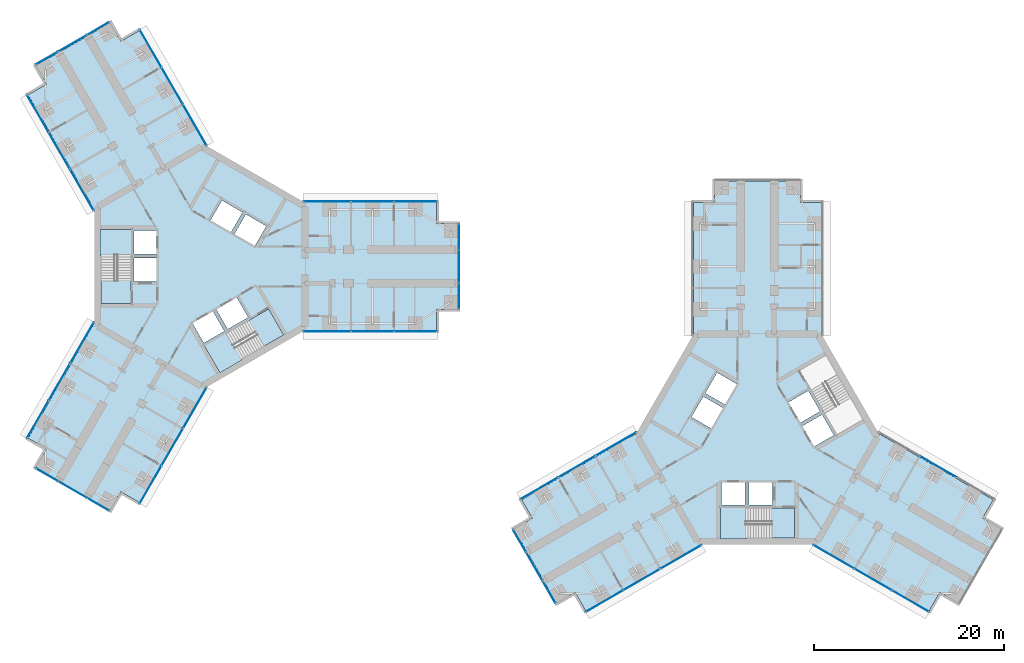
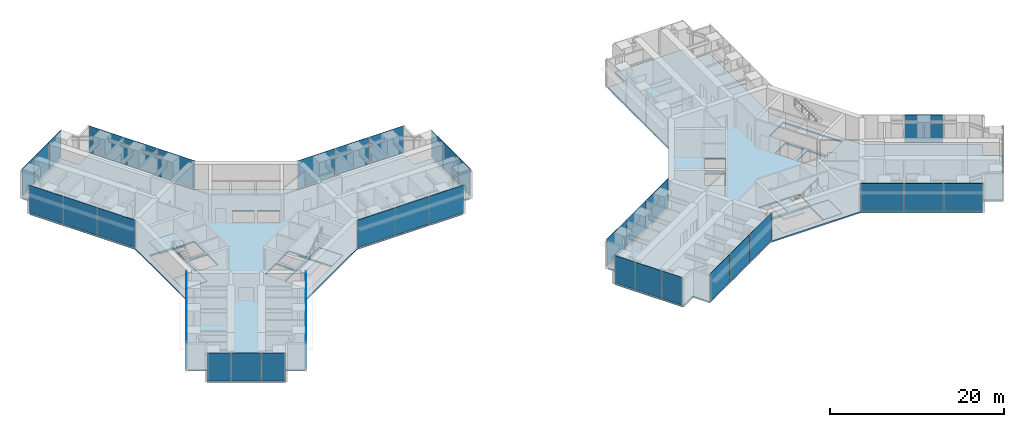
# One storey, part 14 of 22: 40 plates, 8 slabs, 17 elements without a shape of their own.
"""IFC4 building model written with IfcOpenShell, lengths in metres."""

from ifc_helpers import new_model, si_unit, direction, frame, origin, origin_2d, place, context, subcontext, project, spatial, polyline, rectangle, outline, extrude, material, layer, layer_set, type_object, element, aggregate, save


model = new_model("IFC4")

# Units and contexts
model_context = context("Model", 3, precision=1e-05, world=origin(), true_north=direction((0.0, 1.0)))
body_context = subcontext(model_context, "Body", "Model", "MODEL_VIEW")
ifc_project = project(units=[si_unit("LENGTHUNIT", "METRE"), si_unit("AREAUNIT", "SQUARE_METRE"), si_unit("VOLUMEUNIT", "CUBIC_METRE"), si_unit("PLANEANGLEUNIT", "RADIAN"), si_unit("MASSUNIT", "GRAM", prefix="KILO")], contexts=[model_context])

# Site, building, storey
site_placement = place(None, origin())
site = spatial("IfcSite", under=ifc_project, at=site_placement, CompositionType="ELEMENT")
building_placement = place(site_placement, origin())
building = spatial("IfcBuilding", under=site, at=building_placement, Name="Upepo Twin Towers", CompositionType="ELEMENT")
storey_placement = place(building_placement, frame((0.0, 0.0, 40.5)))
storey = spatial("IfcBuildingStorey", under=building, at=storey_placement, Name="L09", CompositionType="ELEMENT", Elevation=40.5)

# Curtain wall, plates
ifc_material_1 = material(Name="Aluminium and fritted glass", Category="aluminium")
curtain_wall_type = type_object("IfcCurtainWallType", Name="Tower curtain wall TW1, fritted glass", PredefinedType="NOTDEFINED", material=ifc_material_1)
curtain_wall_1_placement = place(storey_placement, origin())
curtain_wall_1 = element("IfcCurtainWall", 1, at=curtain_wall_1_placement, inside=storey, type_object=curtain_wall_type, Name="T1 L09 wing A flank L curtain wall", PredefinedType="NOTDEFINED")
ifc_material_2 = material(Name="Ceramic-fritted laminated glass", Category="glass")
ifc_layer_1 = layer(ifc_material_2, 0.031982421875)
ifc_layer_set_1 = layer_set([ifc_layer_1], Name="Fritted glass panel, 20 per cent dot frit, 32 mm double glazed")
plate_type_1 = type_object("IfcPlateType", Name="Fritted glass panel, 20 per cent dot frit, 32 mm double glazed", PredefinedType="CURTAIN_PANEL", material=ifc_layer_set_1)
plate_1_placement = place(storey_placement, frame((13.23486328125, 6.85009765625, 0.14990234375), z_axis=(0.0, 0.0, 1.0), x_axis=(1.0, 0.0, 0.0)))
plate_1 = element("IfcPlate", 2, at=plate_1_placement, type_object=plate_type_1, Name="T1 L09 wing A flank L curtain wall panel 1", PredefinedType="CURTAIN_PANEL", context=body_context, shape_type="SweptSolid", body=[
    extrude(rectangle(XDim=4.96533203125, YDim=0.031982421875, at=origin_2d()), origin(), (0.0, 0.0, 1.0), 3.85009765625),
])
plate_2_placement = place(storey_placement, frame((18.0, 6.85009765625, 0.14990234375), z_axis=(0.0, 0.0, 1.0), x_axis=(1.0, 0.0, 0.0)))
plate_2 = element("IfcPlate", 3, at=plate_2_placement, type_object=plate_type_1, Name="T1 L09 wing A flank L curtain wall panel 2", PredefinedType="CURTAIN_PANEL", context=body_context, shape_type="SweptSolid", body=[
    extrude(rectangle(XDim=4.43505859375, YDim=0.031982421875, at=origin_2d()), origin(), (0.0, 0.0, 1.0), 3.85009765625),
])
plate_3_placement = place(storey_placement, frame((22.53369140625, 6.85009765625, 0.14990234375), z_axis=(0.0, 0.0, 1.0), x_axis=(1.0, 0.0, 0.0)))
plate_3 = element("IfcPlate", 4, at=plate_3_placement, type_object=plate_type_1, Name="T1 L09 wing A flank L curtain wall panel 3", PredefinedType="CURTAIN_PANEL", context=body_context, shape_type="SweptSolid", body=[
    extrude(rectangle(XDim=4.50244140625, YDim=0.031982421875, at=origin_2d()), origin(), (0.0, 0.0, 1.0), 3.85009765625),
])
aggregate(curtain_wall_1, [plate_1, plate_2, plate_3])

curtain_wall_2_placement = place(storey_placement, origin())
curtain_wall_2 = element("IfcCurtainWall", 5, at=curtain_wall_2_placement, inside=storey, type_object=curtain_wall_type, Name="T1 L09 wing A flank R curtain wall", PredefinedType="NOTDEFINED")
plate_4_placement = place(storey_placement, frame((22.53369140625, -6.85009765625, 0.14990234375), z_axis=(0.0, 0.0, 1.0), x_axis=(-1.0, 0.0, 0.0)))
plate_4 = element("IfcPlate", 6, at=plate_4_placement, type_object=plate_type_1, Name="T1 L09 wing A flank R curtain wall panel 1", PredefinedType="CURTAIN_PANEL", context=body_context, shape_type="SweptSolid", body=[
    extrude(rectangle(XDim=4.50244140625, YDim=0.031982421875, at=origin_2d()), origin(), (0.0, 0.0, 1.0), 3.85009765625),
])
plate_5_placement = place(storey_placement, frame((18.0, -6.85009765625, 0.14990234375), z_axis=(0.0, 0.0, 1.0), x_axis=(-1.0, 0.0, 0.0)))
plate_5 = element("IfcPlate", 7, at=plate_5_placement, type_object=plate_type_1, Name="T1 L09 wing A flank R curtain wall panel 2", PredefinedType="CURTAIN_PANEL", context=body_context, shape_type="SweptSolid", body=[
    extrude(rectangle(XDim=4.43505859375, YDim=0.031982421875, at=origin_2d()), origin(), (0.0, 0.0, 1.0), 3.85009765625),
])
plate_6_placement = place(storey_placement, frame((13.23486328125, -6.85009765625, 0.14990234375), z_axis=(0.0, 0.0, 1.0), x_axis=(-1.0, 0.0, 0.0)))
plate_6 = element("IfcPlate", 8, at=plate_6_placement, type_object=plate_type_1, Name="T1 L09 wing A flank R curtain wall panel 3", PredefinedType="CURTAIN_PANEL", context=body_context, shape_type="SweptSolid", body=[
    extrude(rectangle(XDim=4.96533203125, YDim=0.031982421875, at=origin_2d()), origin(), (0.0, 0.0, 1.0), 3.85009765625),
])
aggregate(curtain_wall_2, [plate_4, plate_5, plate_6])

# Curtain wall, plate
curtain_wall_3_placement = place(storey_placement, origin())
curtain_wall_3 = element("IfcCurtainWall", 9, at=curtain_wall_3_placement, inside=storey, type_object=curtain_wall_type, Name="T1 L09 wing A nose curtain wall", PredefinedType="NOTDEFINED")
plate_7_placement = place(storey_placement, frame((27.10009765625, 0.0, 0.14990234375), z_axis=(0.0, 0.0, 1.0), x_axis=(0.0, 1.0, 0.0)))
plate_7 = element("IfcPlate", 10, at=plate_7_placement, type_object=plate_type_1, Name="T1 L09 wing A nose curtain wall panel 2", PredefinedType="CURTAIN_PANEL", context=body_context, shape_type="SweptSolid", body=[
    extrude(rectangle(XDim=3.43505859375, YDim=0.031982421875, at=origin_2d()), origin(), (0.0, 0.0, 1.0), 3.85009765625),
])

# Curtain wall, plates
curtain_wall_4_placement = place(storey_placement, origin())
curtain_wall_4 = element("IfcCurtainWall", 11, at=curtain_wall_4_placement, inside=storey, type_object=curtain_wall_type, Name="T1 L09 wing B flank L curtain wall", PredefinedType="NOTDEFINED")
plate_8_placement = place(storey_placement, frame((-12.549560546875, 8.03662109375, 0.14990234375), z_axis=(0.0, 0.0, 1.0), x_axis=(-0.500000024426, 0.866025389682, 0.0)))
plate_8 = element("IfcPlate", 12, at=plate_8_placement, type_object=plate_type_1, Name="T1 L09 wing B flank L curtain wall panel 1", PredefinedType="CURTAIN_PANEL", context=body_context, shape_type="SweptSolid", body=[
    extrude(rectangle(XDim=4.96533203125, YDim=0.031982421875, at=origin_2d()), origin(), (0.0, 0.0, 1.0), 3.85009765625),
])
plate_9_placement = place(storey_placement, frame((-14.932373046875, 12.16357421875, 0.14990234375), z_axis=(0.0, 0.0, 1.0), x_axis=(-0.500000024426, 0.866025389682, 0.0)))
plate_9 = element("IfcPlate", 13, at=plate_9_placement, type_object=plate_type_1, Name="T1 L09 wing B flank L curtain wall panel 2", PredefinedType="CURTAIN_PANEL", context=body_context, shape_type="SweptSolid", body=[
    extrude(rectangle(XDim=4.43505859375, YDim=0.031982421875, at=origin_2d()), origin(), (0.0, 0.0, 1.0), 3.85009765625),
])
plate_10_placement = place(storey_placement, frame((-17.19921875, 16.08984375, 0.14990234375), z_axis=(0.0, 0.0, 1.0), x_axis=(-0.500000024426, 0.866025389682, 0.0)))
plate_10 = element("IfcPlate", 14, at=plate_10_placement, type_object=plate_type_1, Name="T1 L09 wing B flank L curtain wall panel 3", PredefinedType="CURTAIN_PANEL", context=body_context, shape_type="SweptSolid", body=[
    extrude(rectangle(XDim=4.50244140625, YDim=0.031982421875, at=origin_2d()), origin(), (0.0, 0.0, 1.0), 3.85009765625),
])
aggregate(curtain_wall_4, [plate_8, plate_9, plate_10])

curtain_wall_5_placement = place(storey_placement, origin())
curtain_wall_5 = element("IfcCurtainWall", 15, at=curtain_wall_5_placement, inside=storey, type_object=curtain_wall_type, Name="T1 L09 wing B flank R curtain wall", PredefinedType="NOTDEFINED")
plate_11_placement = place(storey_placement, frame((-5.334716796875, 22.939697265625, 0.14990234375), z_axis=(0.0, 0.0, 1.0), x_axis=(0.500000024426, -0.866025389682, 0.0)))
plate_11 = element("IfcPlate", 16, at=plate_11_placement, type_object=plate_type_1, Name="T1 L09 wing B flank R curtain wall panel 1", PredefinedType="CURTAIN_PANEL", context=body_context, shape_type="SweptSolid", body=[
    extrude(rectangle(XDim=4.50244140625, YDim=0.031982421875, at=origin_2d()), origin(), (0.0, 0.0, 1.0), 3.85009765625),
])
plate_12_placement = place(storey_placement, frame((-3.067626953125, 19.013427734375, 0.14990234375), z_axis=(0.0, 0.0, 1.0), x_axis=(0.500000024426, -0.866025389682, 0.0)))
plate_12 = element("IfcPlate", 17, at=plate_12_placement, type_object=plate_type_1, Name="T1 L09 wing B flank R curtain wall panel 2", PredefinedType="CURTAIN_PANEL", context=body_context, shape_type="SweptSolid", body=[
    extrude(rectangle(XDim=4.43505859375, YDim=0.031982421875, at=origin_2d()), origin(), (0.0, 0.0, 1.0), 3.85009765625),
])
plate_13_placement = place(storey_placement, frame((-0.68505859375, 14.88671875, 0.14990234375), z_axis=(0.0, 0.0, 1.0), x_axis=(0.500000024426, -0.866025389682, 0.0)))
plate_13 = element("IfcPlate", 18, at=plate_13_placement, type_object=plate_type_1, Name="T1 L09 wing B flank R curtain wall panel 3", PredefinedType="CURTAIN_PANEL", context=body_context, shape_type="SweptSolid", body=[
    extrude(rectangle(XDim=4.96533203125, YDim=0.031982421875, at=origin_2d()), origin(), (0.0, 0.0, 1.0), 3.85009765625),
])
aggregate(curtain_wall_5, [plate_11, plate_12, plate_13])

# Curtain wall, plate
curtain_wall_6_placement = place(storey_placement, origin())
curtain_wall_6 = element("IfcCurtainWall", 19, at=curtain_wall_6_placement, inside=storey, type_object=curtain_wall_type, Name="T1 L09 wing B nose curtain wall", PredefinedType="NOTDEFINED")
plate_14_placement = place(storey_placement, frame((-13.550048828125, 23.46923828125, 0.14990234375), z_axis=(0.0, 0.0, 1.0), x_axis=(-0.866025386174, -0.500000030502, 0.0)))
plate_14 = element("IfcPlate", 20, at=plate_14_placement, type_object=plate_type_1, Name="T1 L09 wing B nose curtain wall panel 2", PredefinedType="CURTAIN_PANEL", context=body_context, shape_type="SweptSolid", body=[
    extrude(rectangle(XDim=3.43505859375, YDim=0.031982421875, at=origin_2d()), origin(), (0.0, 0.0, 1.0), 3.85009765625),
])

# Curtain wall, plates
curtain_wall_7_placement = place(storey_placement, origin())
curtain_wall_7 = element("IfcCurtainWall", 21, at=curtain_wall_7_placement, inside=storey, type_object=curtain_wall_type, Name="T1 L09 wing C flank L curtain wall", PredefinedType="NOTDEFINED")
plate_15_placement = place(storey_placement, frame((-0.68505859375, -14.88671875, 0.14990234375), z_axis=(0.0, 0.0, 1.0), x_axis=(-0.500000024426, -0.866025389682, 0.0)))
plate_15 = element("IfcPlate", 22, at=plate_15_placement, type_object=plate_type_1, Name="T1 L09 wing C flank L curtain wall panel 1", PredefinedType="CURTAIN_PANEL", context=body_context, shape_type="SweptSolid", body=[
    extrude(rectangle(XDim=4.96533203125, YDim=0.031982421875, at=origin_2d()), origin(), (0.0, 0.0, 1.0), 3.85009765625),
])
plate_16_placement = place(storey_placement, frame((-3.067626953125, -19.013427734375, 0.14990234375), z_axis=(0.0, 0.0, 1.0), x_axis=(-0.500000024426, -0.866025389682, 0.0)))
plate_16 = element("IfcPlate", 23, at=plate_16_placement, type_object=plate_type_1, Name="T1 L09 wing C flank L curtain wall panel 2", PredefinedType="CURTAIN_PANEL", context=body_context, shape_type="SweptSolid", body=[
    extrude(rectangle(XDim=4.43505859375, YDim=0.031982421875, at=origin_2d()), origin(), (0.0, 0.0, 1.0), 3.85009765625),
])
plate_17_placement = place(storey_placement, frame((-5.334716796875, -22.939697265625, 0.14990234375), z_axis=(0.0, 0.0, 1.0), x_axis=(-0.500000024426, -0.866025389682, 0.0)))
plate_17 = element("IfcPlate", 24, at=plate_17_placement, type_object=plate_type_1, Name="T1 L09 wing C flank L curtain wall panel 3", PredefinedType="CURTAIN_PANEL", context=body_context, shape_type="SweptSolid", body=[
    extrude(rectangle(XDim=4.50244140625, YDim=0.031982421875, at=origin_2d()), origin(), (0.0, 0.0, 1.0), 3.85009765625),
])
aggregate(curtain_wall_7, [plate_15, plate_16, plate_17])

curtain_wall_8_placement = place(storey_placement, origin())
curtain_wall_8 = element("IfcCurtainWall", 25, at=curtain_wall_8_placement, inside=storey, type_object=curtain_wall_type, Name="T1 L09 wing C flank R curtain wall", PredefinedType="NOTDEFINED")
plate_18_placement = place(storey_placement, frame((-17.19921875, -16.08984375, 0.14990234375), z_axis=(0.0, 0.0, 1.0), x_axis=(0.500000024426, 0.866025389682, 0.0)))
plate_18 = element("IfcPlate", 26, at=plate_18_placement, type_object=plate_type_1, Name="T1 L09 wing C flank R curtain wall panel 1", PredefinedType="CURTAIN_PANEL", context=body_context, shape_type="SweptSolid", body=[
    extrude(rectangle(XDim=4.50244140625, YDim=0.031982421875, at=origin_2d()), origin(), (0.0, 0.0, 1.0), 3.85009765625),
])
plate_19_placement = place(storey_placement, frame((-14.932373046875, -12.16357421875, 0.14990234375), z_axis=(0.0, 0.0, 1.0), x_axis=(0.500000024426, 0.866025389682, 0.0)))
plate_19 = element("IfcPlate", 27, at=plate_19_placement, type_object=plate_type_1, Name="T1 L09 wing C flank R curtain wall panel 2", PredefinedType="CURTAIN_PANEL", context=body_context, shape_type="SweptSolid", body=[
    extrude(rectangle(XDim=4.43505859375, YDim=0.031982421875, at=origin_2d()), origin(), (0.0, 0.0, 1.0), 3.85009765625),
])
plate_20_placement = place(storey_placement, frame((-12.549560546875, -8.03662109375, 0.14990234375), z_axis=(0.0, 0.0, 1.0), x_axis=(0.500000024426, 0.866025389682, 0.0)))
plate_20 = element("IfcPlate", 28, at=plate_20_placement, type_object=plate_type_1, Name="T1 L09 wing C flank R curtain wall panel 3", PredefinedType="CURTAIN_PANEL", context=body_context, shape_type="SweptSolid", body=[
    extrude(rectangle(XDim=4.96533203125, YDim=0.031982421875, at=origin_2d()), origin(), (0.0, 0.0, 1.0), 3.85009765625),
])
aggregate(curtain_wall_8, [plate_18, plate_19, plate_20])

# Curtain wall, plate
curtain_wall_9_placement = place(storey_placement, origin())
curtain_wall_9 = element("IfcCurtainWall", 29, at=curtain_wall_9_placement, inside=storey, type_object=curtain_wall_type, Name="T1 L09 wing C nose curtain wall", PredefinedType="NOTDEFINED")
plate_21_placement = place(storey_placement, frame((-13.550048828125, -23.46923828125, 0.14990234375), z_axis=(0.0, 0.0, 1.0), x_axis=(0.866025386174, -0.500000030502, 0.0)))
plate_21 = element("IfcPlate", 30, at=plate_21_placement, type_object=plate_type_1, Name="T1 L09 wing C nose curtain wall panel 2", PredefinedType="CURTAIN_PANEL", context=body_context, shape_type="SweptSolid", body=[
    extrude(rectangle(XDim=3.43505859375, YDim=0.031982421875, at=origin_2d()), origin(), (0.0, 0.0, 1.0), 3.85009765625),
])

# Curtain wall, plates
curtain_wall_10_placement = place(storey_placement, origin())
curtain_wall_10 = element("IfcCurtainWall", 31, at=curtain_wall_10_placement, inside=storey, type_object=curtain_wall_type, Name="T2 L09 wing B flank L curtain wall", PredefinedType="NOTDEFINED")
plate_22_placement = place(storey_placement, frame((50.46337890625, -30.549560546875, 0.14990234375), z_axis=(0.0, 0.0, 1.0), x_axis=(-0.866025389682, -0.500000024426, 0.0)))
plate_22 = element("IfcPlate", 32, at=plate_22_placement, type_object=plate_type_1, Name="T2 L09 wing B flank L curtain wall panel 1", PredefinedType="CURTAIN_PANEL", context=body_context, shape_type="SweptSolid", body=[
    extrude(rectangle(XDim=4.96533203125, YDim=0.031982421875, at=origin_2d()), origin(), (0.0, 0.0, 1.0), 3.85009765625),
])
plate_23_placement = place(storey_placement, frame((46.33642578125, -32.932373046875, 0.14990234375), z_axis=(0.0, 0.0, 1.0), x_axis=(-0.866025389682, -0.500000024426, 0.0)))
plate_23 = element("IfcPlate", 33, at=plate_23_placement, type_object=plate_type_1, Name="T2 L09 wing B flank L curtain wall panel 2", PredefinedType="CURTAIN_PANEL", context=body_context, shape_type="SweptSolid", body=[
    extrude(rectangle(XDim=4.43505859375, YDim=0.031982421875, at=origin_2d()), origin(), (0.0, 0.0, 1.0), 3.85009765625),
])
plate_24_placement = place(storey_placement, frame((42.41015625, -35.19921875, 0.14990234375), z_axis=(0.0, 0.0, 1.0), x_axis=(-0.866025389682, -0.500000024426, 0.0)))
plate_24 = element("IfcPlate", 34, at=plate_24_placement, type_object=plate_type_1, Name="T2 L09 wing B flank L curtain wall panel 3", PredefinedType="CURTAIN_PANEL", context=body_context, shape_type="SweptSolid", body=[
    extrude(rectangle(XDim=4.50244140625, YDim=0.031982421875, at=origin_2d()), origin(), (0.0, 0.0, 1.0), 3.85009765625),
])
aggregate(curtain_wall_10, [plate_22, plate_23, plate_24])

curtain_wall_11_placement = place(storey_placement, origin())
curtain_wall_11 = element("IfcCurtainWall", 35, at=curtain_wall_11_placement, inside=storey, type_object=curtain_wall_type, Name="T2 L09 wing B flank R curtain wall", PredefinedType="NOTDEFINED")
plate_25_placement = place(storey_placement, frame((35.560302734375, -23.334716796875, 0.14990234375), z_axis=(0.0, 0.0, 1.0), x_axis=(0.866025389682, 0.500000024426, 0.0)))
plate_25 = element("IfcPlate", 36, at=plate_25_placement, type_object=plate_type_1, Name="T2 L09 wing B flank R curtain wall panel 1", PredefinedType="CURTAIN_PANEL", context=body_context, shape_type="SweptSolid", body=[
    extrude(rectangle(XDim=4.50244140625, YDim=0.031982421875, at=origin_2d()), origin(), (0.0, 0.0, 1.0), 3.85009765625),
])
plate_26_placement = place(storey_placement, frame((39.486572265625, -21.067626953125, 0.14990234375), z_axis=(0.0, 0.0, 1.0), x_axis=(0.866025389682, 0.500000024426, 0.0)))
plate_26 = element("IfcPlate", 37, at=plate_26_placement, type_object=plate_type_1, Name="T2 L09 wing B flank R curtain wall panel 2", PredefinedType="CURTAIN_PANEL", context=body_context, shape_type="SweptSolid", body=[
    extrude(rectangle(XDim=4.43505859375, YDim=0.031982421875, at=origin_2d()), origin(), (0.0, 0.0, 1.0), 3.85009765625),
])
plate_27_placement = place(storey_placement, frame((43.61328125, -18.68505859375, 0.14990234375), z_axis=(0.0, 0.0, 1.0), x_axis=(0.866025389682, 0.500000024426, 0.0)))
plate_27 = element("IfcPlate", 38, at=plate_27_placement, type_object=plate_type_1, Name="T2 L09 wing B flank R curtain wall panel 3", PredefinedType="CURTAIN_PANEL", context=body_context, shape_type="SweptSolid", body=[
    extrude(rectangle(XDim=4.96533203125, YDim=0.031982421875, at=origin_2d()), origin(), (0.0, 0.0, 1.0), 3.85009765625),
])
aggregate(curtain_wall_11, [plate_25, plate_26, plate_27])

# Curtain wall, plate
curtain_wall_12_placement = place(storey_placement, origin())
curtain_wall_12 = element("IfcCurtainWall", 39, at=curtain_wall_12_placement, inside=storey, type_object=curtain_wall_type, Name="T2 L09 wing B nose curtain wall", PredefinedType="NOTDEFINED")
plate_28_placement = place(storey_placement, frame((35.03076171875, -31.550048828125, 0.14990234375), z_axis=(0.0, 0.0, 1.0), x_axis=(0.500000030502, -0.866025386174, 0.0)))
plate_28 = element("IfcPlate", 40, at=plate_28_placement, type_object=plate_type_1, Name="T2 L09 wing B nose curtain wall panel 2", PredefinedType="CURTAIN_PANEL", context=body_context, shape_type="SweptSolid", body=[
    extrude(rectangle(XDim=3.43505859375, YDim=0.031982421875, at=origin_2d()), origin(), (0.0, 0.0, 1.0), 3.85009765625),
])

curtain_wall_13_placement = place(storey_placement, origin())
curtain_wall_13 = element("IfcCurtainWall", 41, at=curtain_wall_13_placement, inside=storey, type_object=curtain_wall_type, Name="T2 L09 wing C flank L curtain wall", PredefinedType="NOTDEFINED")
plate_29_placement = place(storey_placement, frame((77.513427734375, -21.067626953125, 0.14990234375), z_axis=(0.0, 0.0, 1.0), x_axis=(0.866025389682, -0.500000024426, 0.0)))
plate_29 = element("IfcPlate", 42, at=plate_29_placement, type_object=plate_type_1, Name="T2 L09 wing C flank L curtain wall panel 2", PredefinedType="CURTAIN_PANEL", context=body_context, shape_type="SweptSolid", body=[
    extrude(rectangle(XDim=4.43505859375, YDim=0.031982421875, at=origin_2d()), origin(), (0.0, 0.0, 1.0), 3.85009765625),
])
aggregate(curtain_wall_13, [plate_29])

# Curtain wall, plates
curtain_wall_14_placement = place(storey_placement, origin())
curtain_wall_14 = element("IfcCurtainWall", 43, at=curtain_wall_14_placement, inside=storey, type_object=curtain_wall_type, Name="T2 L09 wing C flank R curtain wall", PredefinedType="NOTDEFINED")
plate_30_placement = place(storey_placement, frame((74.58984375, -35.19921875, 0.14990234375), z_axis=(0.0, 0.0, 1.0), x_axis=(-0.866025389682, 0.500000024426, 0.0)))
plate_30 = element("IfcPlate", 44, at=plate_30_placement, type_object=plate_type_1, Name="T2 L09 wing C flank R curtain wall panel 1", PredefinedType="CURTAIN_PANEL", context=body_context, shape_type="SweptSolid", body=[
    extrude(rectangle(XDim=4.50244140625, YDim=0.031982421875, at=origin_2d()), origin(), (0.0, 0.0, 1.0), 3.85009765625),
])
plate_31_placement = place(storey_placement, frame((70.66357421875, -32.932373046875, 0.14990234375), z_axis=(0.0, 0.0, 1.0), x_axis=(-0.866025389682, 0.500000024426, 0.0)))
plate_31 = element("IfcPlate", 45, at=plate_31_placement, type_object=plate_type_1, Name="T2 L09 wing C flank R curtain wall panel 2", PredefinedType="CURTAIN_PANEL", context=body_context, shape_type="SweptSolid", body=[
    extrude(rectangle(XDim=4.43505859375, YDim=0.031982421875, at=origin_2d()), origin(), (0.0, 0.0, 1.0), 3.85009765625),
])
plate_32_placement = place(storey_placement, frame((66.53662109375, -30.549560546875, 0.14990234375), z_axis=(0.0, 0.0, 1.0), x_axis=(-0.866025389682, 0.500000024426, 0.0)))
plate_32 = element("IfcPlate", 46, at=plate_32_placement, type_object=plate_type_1, Name="T2 L09 wing C flank R curtain wall panel 3", PredefinedType="CURTAIN_PANEL", context=body_context, shape_type="SweptSolid", body=[
    extrude(rectangle(XDim=4.96533203125, YDim=0.031982421875, at=origin_2d()), origin(), (0.0, 0.0, 1.0), 3.85009765625),
])
aggregate(curtain_wall_14, [plate_30, plate_31, plate_32])

# Plate
ifc_material_3 = material(Name="Clear laminated glass in opening sash", Category="glass")
ifc_layer_2 = layer(ifc_material_3, 0.031982421875)
ifc_layer_set_2 = layer_set([ifc_layer_2], Name="Operable glass panel, 32 mm double glazed")
plate_type_2 = type_object("IfcPlateType", Name="Operable glass panel, 32 mm double glazed", PredefinedType="CURTAIN_PANEL", material=ifc_layer_set_2)
plate_33_placement = place(storey_placement, frame((27.10009765625, -3.108642578125, 0.14990234375), z_axis=(0.0, 0.0, 1.0), x_axis=(0.0, 1.0, 0.0)))
plate_33 = element("IfcPlate", 47, at=plate_33_placement, type_object=plate_type_2, Name="T1 L09 wing A nose curtain wall panel 1", PredefinedType="CURTAIN_PANEL", context=body_context, shape_type="SweptSolid", body=[
    extrude(rectangle(XDim=2.652587890625, YDim=0.031982421875, at=origin_2d()), origin(), (0.0, 0.0, 1.0), 3.85009765625),
])

plate_34_placement = place(storey_placement, frame((27.10009765625, 3.108642578125, 0.14990234375), z_axis=(0.0, 0.0, 1.0), x_axis=(0.0, 1.0, 0.0)))
plate_34 = element("IfcPlate", 48, at=plate_34_placement, type_object=plate_type_2, Name="T1 L09 wing A nose curtain wall panel 3", PredefinedType="CURTAIN_PANEL", context=body_context, shape_type="SweptSolid", body=[
    extrude(rectangle(XDim=2.652587890625, YDim=0.031982421875, at=origin_2d()), origin(), (0.0, 0.0, 1.0), 3.85009765625),
])

aggregate(curtain_wall_3, [plate_33, plate_7, plate_34])

plate_35_placement = place(storey_placement, frame((-10.857666015625, 25.023681640625, 0.14990234375), z_axis=(0.0, 0.0, 1.0), x_axis=(-0.866025386174, -0.500000030502, 0.0)))
plate_35 = element("IfcPlate", 49, at=plate_35_placement, type_object=plate_type_2, Name="T1 L09 wing B nose curtain wall panel 1", PredefinedType="CURTAIN_PANEL", context=body_context, shape_type="SweptSolid", body=[
    extrude(rectangle(XDim=2.652587890625, YDim=0.031982421875, at=origin_2d()), origin(), (0.0, 0.0, 1.0), 3.85009765625),
])

plate_36_placement = place(storey_placement, frame((-16.2421875, 21.914794921875, 0.14990234375), z_axis=(0.0, 0.0, 1.0), x_axis=(-0.866025386174, -0.500000030502, 0.0)))
plate_36 = element("IfcPlate", 50, at=plate_36_placement, type_object=plate_type_2, Name="T1 L09 wing B nose curtain wall panel 3", PredefinedType="CURTAIN_PANEL", context=body_context, shape_type="SweptSolid", body=[
    extrude(rectangle(XDim=2.652587890625, YDim=0.031982421875, at=origin_2d()), origin(), (0.0, 0.0, 1.0), 3.85009765625),
])

aggregate(curtain_wall_6, [plate_35, plate_14, plate_36])

plate_37_placement = place(storey_placement, frame((-16.2421875, -21.914794921875, 0.14990234375), z_axis=(0.0, 0.0, 1.0), x_axis=(0.866025386174, -0.500000030502, 0.0)))
plate_37 = element("IfcPlate", 51, at=plate_37_placement, type_object=plate_type_2, Name="T1 L09 wing C nose curtain wall panel 1", PredefinedType="CURTAIN_PANEL", context=body_context, shape_type="SweptSolid", body=[
    extrude(rectangle(XDim=2.652587890625, YDim=0.031982421875, at=origin_2d()), origin(), (0.0, 0.0, 1.0), 3.85009765625),
])

plate_38_placement = place(storey_placement, frame((-10.857666015625, -25.023681640625, 0.14990234375), z_axis=(0.0, 0.0, 1.0), x_axis=(0.866025386174, -0.500000030502, 0.0)))
plate_38 = element("IfcPlate", 52, at=plate_38_placement, type_object=plate_type_2, Name="T1 L09 wing C nose curtain wall panel 3", PredefinedType="CURTAIN_PANEL", context=body_context, shape_type="SweptSolid", body=[
    extrude(rectangle(XDim=2.652587890625, YDim=0.031982421875, at=origin_2d()), origin(), (0.0, 0.0, 1.0), 3.85009765625),
])

aggregate(curtain_wall_9, [plate_37, plate_21, plate_38])

plate_39_placement = place(storey_placement, frame((33.476318359375, -28.857666015625, 0.14990234375), z_axis=(0.0, 0.0, 1.0), x_axis=(0.500000030502, -0.866025386174, 0.0)))
plate_39 = element("IfcPlate", 53, at=plate_39_placement, type_object=plate_type_2, Name="T2 L09 wing B nose curtain wall panel 1", PredefinedType="CURTAIN_PANEL", context=body_context, shape_type="SweptSolid", body=[
    extrude(rectangle(XDim=2.652587890625, YDim=0.031982421875, at=origin_2d()), origin(), (0.0, 0.0, 1.0), 3.85009765625),
])

plate_40_placement = place(storey_placement, frame((36.585205078125, -34.2421875, 0.14990234375), z_axis=(0.0, 0.0, 1.0), x_axis=(0.500000030502, -0.866025386174, 0.0)))
plate_40 = element("IfcPlate", 54, at=plate_40_placement, type_object=plate_type_2, Name="T2 L09 wing B nose curtain wall panel 3", PredefinedType="CURTAIN_PANEL", context=body_context, shape_type="SweptSolid", body=[
    extrude(rectangle(XDim=2.652587890625, YDim=0.031982421875, at=origin_2d()), origin(), (0.0, 0.0, 1.0), 3.85009765625),
])

aggregate(curtain_wall_12, [plate_39, plate_28, plate_40])

# Stair, slabs
ifc_material_4 = material(Name="Concrete C40/50", Category="concrete")
stair_type = type_object("IfcStairType", Name="Core stair, two flights", PredefinedType="HALF_TURN_STAIR", material=ifc_material_4)
stair_1_placement = place(storey_placement, origin())
stair_1 = element("IfcStair", 55, at=stair_1_placement, inside=storey, type_object=stair_type, Name="T1 stair S1 L09", PredefinedType="HALF_TURN_STAIR")
ifc_material_5 = material(Name="Concrete C40/50", Category="concrete")
ifc_layer_3 = layer(ifc_material_5, 0.199951171875)
ifc_layer_set_3 = layer_set([ifc_layer_3], Name="Concrete C40/50")
slab_type_1 = type_object("IfcSlabType", Name="Stair landing 200 RC", PredefinedType="LANDING", material=ifc_layer_set_3)
slab_1_placement = place(storey_placement, frame((0.0, 0.0, -0.199951171875)))
slab_1 = element("IfcSlab", 56, at=slab_1_placement, type_object=slab_type_1, Name="Stair S1 landing 1", PredefinedType="LANDING", context=body_context, shape_type="SweptSolid", body=[
    extrude(outline(polyline([(-7.39990234375, -1.419921875), (-10.558349609375, -1.419921875), (-10.558349609375, -3.89990234375), (-7.39990234375, -3.89990234375), (-7.39990234375, -1.419921875)])), origin(), (0.0, 0.0, 1.0), 0.199951171875),
])
slab_2_placement = place(storey_placement, frame((0.0, 0.0, 1.800048828125)))
slab_2 = element("IfcSlab", 57, at=slab_2_placement, type_object=slab_type_1, Name="Stair S1 landing 2", PredefinedType="LANDING", context=body_context, shape_type="SweptSolid", body=[
    extrude(outline(polyline([(-7.300048828125, 3.89990234375), (-10.658447265625, 3.89990234375), (-10.658447265625, 1.179931640625), (-7.300048828125, 1.179931640625), (-7.300048828125, 3.89990234375)])), origin(), (0.0, 0.0, 1.0), 0.199951171875),
])
aggregate(stair_1, [slab_1, slab_2])

stair_2_placement = place(storey_placement, origin())
stair_2 = element("IfcStair", 58, at=stair_2_placement, inside=storey, type_object=stair_type, Name="T1 stair S2 L09", PredefinedType="HALF_TURN_STAIR")
slab_3_placement = place(storey_placement, frame((0.0, 0.0, -0.199951171875)))
slab_3 = element("IfcSlab", 59, at=slab_3_placement, type_object=slab_type_1, Name="Stair S2 landing 1", PredefinedType="LANDING", context=body_context, shape_type="SweptSolid", body=[
    extrude(outline(polyline([(4.9296875, -5.698486328125), (6.509033203125, -8.433837890625), (8.65673828125, -7.19384765625), (7.077392578125, -4.45849609375), (4.9296875, -5.698486328125)])), origin(), (0.0, 0.0, 1.0), 0.199951171875),
])
slab_4_placement = place(storey_placement, frame((0.0, 0.0, 1.800048828125)))
slab_4 = element("IfcSlab", 60, at=slab_4_placement, type_object=slab_type_1, Name="Stair S2 landing 2", PredefinedType="LANDING", context=body_context, shape_type="SweptSolid", body=[
    extrude(outline(polyline([(0.2724609375, -8.27197265625), (1.95166015625, -11.180419921875), (4.307373046875, -9.8203125), (2.628173828125, -6.911865234375), (0.2724609375, -8.27197265625)])), origin(), (0.0, 0.0, 1.0), 0.199951171875),
])
aggregate(stair_2, [slab_3, slab_4])

stair_3_placement = place(storey_placement, origin())
stair_3 = element("IfcStair", 61, at=stair_3_placement, inside=storey, type_object=stair_type, Name="T2 stair S1 L09", PredefinedType="HALF_TURN_STAIR")
slab_5_placement = place(storey_placement, frame((0.0, 0.0, -0.199951171875)))
slab_5 = element("IfcSlab", 62, at=slab_5_placement, type_object=slab_type_1, Name="Stair S1 landing 1", PredefinedType="LANDING", context=body_context, shape_type="SweptSolid", body=[
    extrude(outline(polyline([(59.919921875, -25.39990234375), (59.919921875, -28.558349609375), (62.39990234375, -28.558349609375), (62.39990234375, -25.39990234375), (59.919921875, -25.39990234375)])), origin(), (0.0, 0.0, 1.0), 0.199951171875),
])
slab_6_placement = place(storey_placement, frame((0.0, 0.0, 1.800048828125)))
slab_6 = element("IfcSlab", 63, at=slab_6_placement, type_object=slab_type_1, Name="Stair S1 landing 2", PredefinedType="LANDING", context=body_context, shape_type="SweptSolid", body=[
    extrude(outline(polyline([(54.60009765625, -25.300048828125), (54.60009765625, -28.658447265625), (57.320068359375, -28.658447265625), (57.320068359375, -25.300048828125), (54.60009765625, -25.300048828125)])), origin(), (0.0, 0.0, 1.0), 0.199951171875),
])
aggregate(stair_3, [slab_5, slab_6])

# Slabs
ifc_material_6 = material(Name="Concrete C40/50", Category="concrete")
ifc_layer_4 = layer(ifc_material_6, 0.199951171875)
ifc_layer_set_4 = layer_set([ifc_layer_4], Name="Concrete C40/50")
slab_type_2 = type_object("IfcSlabType", Name="Tower floor slab 200 RC", PredefinedType="FLOOR", material=ifc_layer_set_4)
slab_7_placement = place(storey_placement, frame((0.0, 0.0, -0.199951171875)))
element("IfcSlab", 64, at=slab_7_placement, inside=storey, type_object=slab_type_2, Name="T1 L09 floor slab", PredefinedType="FLOOR", context=body_context, shape_type="SweptSolid", body=[
    extrude(outline(polyline([(-8.477783203125, -23.68408203125), (-9.602783203125, -25.632568359375), (-17.397216796875, -21.132568359375), (-16.272216796875, -19.18408203125), (-18.220703125, -18.05908203125), (-11.25830078125, -6.0), (-11.25830078125, 6.0), (-18.220703125, 18.05908203125), (-16.272216796875, 19.18408203125), (-17.397216796875, 21.132568359375), (-9.602783203125, 25.632568359375), (-8.477783203125, 23.68408203125), (-6.529296875, 24.80908203125), (0.43310546875, 12.75), (10.825439453125, 6.75), (24.75, 6.75), (24.75, 4.5), (27.0, 4.5), (27.0, -4.5), (24.75, -4.5), (24.75, -6.75), (10.825439453125, -6.75), (0.43310546875, -12.75), (-6.529296875, -24.80908203125), (-8.477783203125, -23.68408203125)]), holes=[polyline([(5.640869140625, 2.17041015625), (6.8408203125, 4.248779296875), (4.67578125, 5.498779296875), (3.475830078125, 3.42041015625), (5.640869140625, 2.17041015625)]), polyline([(3.12939453125, 3.620361328125), (4.329345703125, 5.69873046875), (2.164306640625, 6.94873046875), (0.96435546875, 4.870361328125), (3.12939453125, 3.620361328125)]), polyline([(-4.699951171875, 3.800048828125), (-7.10009765625, 3.800048828125), (-7.10009765625, 1.300048828125), (-4.699951171875, 1.300048828125), (-4.699951171875, 3.800048828125)]), polyline([(-4.699951171875, 0.89990234375), (-7.10009765625, 0.89990234375), (-7.10009765625, -1.60009765625), (-4.699951171875, -1.60009765625), (-4.699951171875, 0.89990234375)]), polyline([(-7.39990234375, 3.89990234375), (-10.558349609375, 3.89990234375), (-10.558349609375, -3.89990234375), (-7.39990234375, -3.89990234375), (-7.39990234375, 3.89990234375)]), polyline([(-0.94091796875, -5.97021484375), (0.259033203125, -8.048828125), (2.424072265625, -6.798828125), (1.22412109375, -4.72021484375), (-0.94091796875, -5.97021484375)]), polyline([(1.570556640625, -4.520263671875), (2.7705078125, -6.598876953125), (4.935546875, -5.348876953125), (3.735595703125, -3.270263671875), (1.570556640625, -4.520263671875)]), polyline([(0.322509765625, -8.358642578125), (1.901611328125, -11.09375), (8.65673828125, -7.19384765625), (7.077392578125, -4.45849609375), (0.322509765625, -8.358642578125)])]), origin(), (0.0, 0.0, 1.0), 0.199951171875),
])
slab_8_placement = place(storey_placement, frame((0.0, 0.0, -0.199951171875)))
element("IfcSlab", 65, at=slab_8_placement, inside=storey, type_object=slab_type_2, Name="T2 L09 floor slab", PredefinedType="FLOOR", context=body_context, shape_type="SweptSolid", body=[
    extrude(outline(polyline([(82.18408203125, -26.477783203125), (84.132568359375, -27.602783203125), (79.632568359375, -35.397216796875), (77.68408203125, -34.272216796875), (76.55908203125, -36.220703125), (64.5, -29.25830078125), (52.5, -29.25830078125), (40.44091796875, -36.220703125), (39.31591796875, -34.272216796875), (37.367431640625, -35.397216796875), (32.867431640625, -27.602783203125), (34.81591796875, -26.477783203125), (33.69091796875, -24.529296875), (45.75, -17.56689453125), (51.75, -7.174560546875), (51.75, 6.75), (54.0, 6.75), (54.0, 9.0), (63.0, 9.0), (63.0, 6.75), (65.25, 6.75), (65.25, -7.174560546875), (71.25, -17.56689453125), (83.30908203125, -24.529296875), (82.18408203125, -26.477783203125)]), holes=[polyline([(56.32958984375, -12.359130859375), (54.251220703125, -11.1591796875), (53.001220703125, -13.32421875), (55.07958984375, -14.524169921875), (56.32958984375, -12.359130859375)]), polyline([(54.879638671875, -14.87060546875), (52.80126953125, -13.670654296875), (51.55126953125, -15.835693359375), (53.629638671875, -17.03564453125), (54.879638671875, -14.87060546875)]), polyline([(54.699951171875, -22.699951171875), (54.699951171875, -25.10009765625), (57.199951171875, -25.10009765625), (57.199951171875, -22.699951171875), (54.699951171875, -22.699951171875)]), polyline([(57.60009765625, -22.699951171875), (57.60009765625, -25.10009765625), (60.10009765625, -25.10009765625), (60.10009765625, -22.699951171875), (57.60009765625, -22.699951171875)]), polyline([(54.60009765625, -25.39990234375), (54.60009765625, -28.558349609375), (62.39990234375, -28.558349609375), (62.39990234375, -25.39990234375), (54.60009765625, -25.39990234375)]), polyline([(64.47021484375, -18.94091796875), (66.548828125, -17.740966796875), (65.298828125, -15.575927734375), (63.22021484375, -16.77587890625), (64.47021484375, -18.94091796875)]), polyline([(63.020263671875, -16.429443359375), (65.098876953125, -15.2294921875), (63.848876953125, -13.064453125), (61.770263671875, -14.264404296875), (63.020263671875, -16.429443359375)]), polyline([(66.858642578125, -17.677490234375), (69.59375, -16.098388671875), (65.69384765625, -9.34326171875), (62.95849609375, -10.922607421875), (66.858642578125, -17.677490234375)])]), origin(), (0.0, 0.0, 1.0), 0.199951171875),
])

save(model, "model.ifc")
